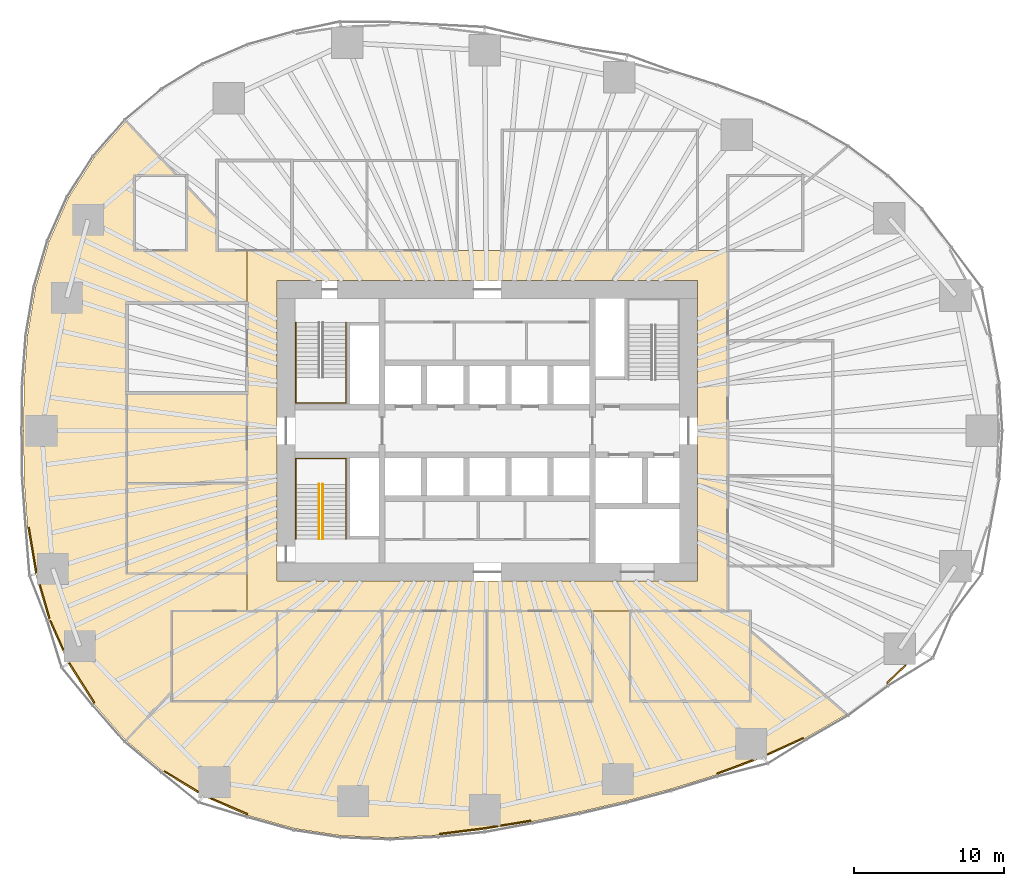
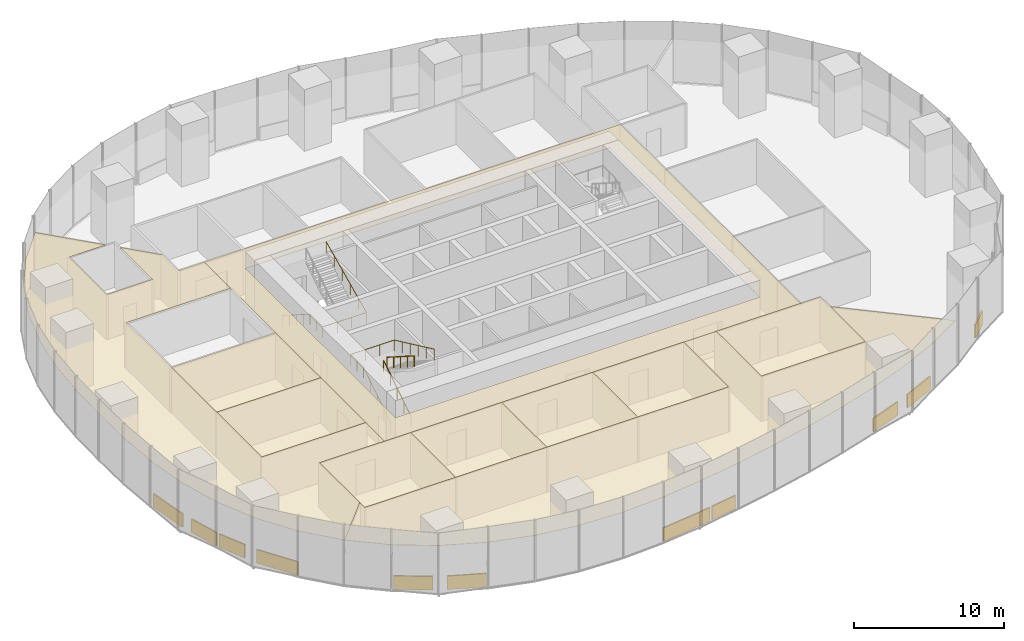
# One storey, part 17 of 20: 22 coverings, 4 railings.
"""IFC4 building model written with IfcOpenShell, lengths in metres."""

from ifc_helpers import new_model, si_unit, direction, frame, origin, origin_2d, place, context, subcontext, project, spatial, polyline, rectangle, circle, outline, extrude, material, layer, layer_set, type_object, element, save


model = new_model("IFC4")

# Units and contexts
model_context = context("Model", 3, precision=1e-05, world=origin(), true_north=direction((0.0, 1.0)))
body_context = subcontext(model_context, "Body", "Model", "MODEL_VIEW")
ifc_project = project(units=[si_unit("LENGTHUNIT", "METRE"), si_unit("AREAUNIT", "SQUARE_METRE"), si_unit("VOLUMEUNIT", "CUBIC_METRE"), si_unit("PLANEANGLEUNIT", "RADIAN"), si_unit("MASSUNIT", "GRAM", prefix="KILO")], contexts=[model_context])

# Site, building, storey
site_placement = place(None, origin())
site = spatial("IfcSite", under=ifc_project, at=site_placement, CompositionType="ELEMENT")
building_placement = place(site_placement, origin())
building = spatial("IfcBuilding", under=site, at=building_placement, Name="Ghaith Harvest Tower", CompositionType="ELEMENT")
storey_placement = place(building_placement, frame((0.0, 0.0, 40.0)))
storey = spatial("IfcBuildingStorey", under=building, at=storey_placement, Name="L08", CompositionType="ELEMENT", Elevation=40.0)

# Coverings
ifc_material_1 = material(Name="Mineral fibre ceiling tile", Category="gypsum")
ifc_layer_1 = layer(ifc_material_1, 0.02490234375)
ifc_layer_set_1 = layer_set([ifc_layer_1], Name="CEILING C2")
covering_type_1 = type_object("IfcCoveringType", Name="CEILING C2", PredefinedType="CEILING", material=ifc_layer_set_1)
covering_1_placement = place(storey_placement, frame((0.0, 0.0, 3.60009765625)))
element("IfcCovering", 1, at=covering_1_placement, inside=storey, type_object=covering_type_1, Name="Ceiling L08-01", PredefinedType="CEILING", context=body_context, shape_type="SweptSolid", body=[
    extrude(outline(polyline([(-21.0, -18.0), (-14.0, -18.0), (-14.0, -12.0), (-21.0, -12.0), (-21.0, -18.0)])), origin(), (0.0, 0.0, 1.0), 0.02490234375),
])
covering_2_placement = place(storey_placement, frame((0.0, 0.0, 3.60009765625)))
element("IfcCovering", 2, at=covering_2_placement, inside=storey, type_object=covering_type_1, Name="Ceiling L08-02", PredefinedType="CEILING", context=body_context, shape_type="SweptSolid", body=[
    extrude(outline(polyline([(-14.0, -18.0), (-7.0, -18.0), (-7.0, -12.0), (-14.0, -12.0), (-14.0, -18.0)])), origin(), (0.0, 0.0, 1.0), 0.02490234375),
])
covering_3_placement = place(storey_placement, frame((0.0, 0.0, 3.60009765625)))
element("IfcCovering", 3, at=covering_3_placement, inside=storey, type_object=covering_type_1, Name="Ceiling L08-03", PredefinedType="CEILING", context=body_context, shape_type="SweptSolid", body=[
    extrude(outline(polyline([(-7.0, -18.0), (0.0, -18.0), (0.0, -12.0), (-7.0, -12.0), (-7.0, -18.0)])), origin(), (0.0, 0.0, 1.0), 0.02490234375),
])
covering_4_placement = place(storey_placement, frame((0.0, 0.0, 3.60009765625)))
element("IfcCovering", 4, at=covering_4_placement, inside=storey, type_object=covering_type_1, Name="Ceiling L08-04", PredefinedType="CEILING", context=body_context, shape_type="SweptSolid", body=[
    extrude(outline(polyline([(0.0, -18.0), (7.0, -18.0), (7.0, -12.0), (0.0, -12.0), (0.0, -18.0)])), origin(), (0.0, 0.0, 1.0), 0.02490234375),
])
covering_5_placement = place(storey_placement, frame((0.0, 0.0, 3.60009765625)))
element("IfcCovering", 5, at=covering_5_placement, inside=storey, type_object=covering_type_1, Name="Ceiling L08-05", PredefinedType="CEILING", context=body_context, shape_type="SweptSolid", body=[
    extrude(outline(polyline([(9.5, -18.0), (17.5, -18.0), (17.5, -12.0), (9.5, -12.0), (9.5, -18.0)])), origin(), (0.0, 0.0, 1.0), 0.02490234375),
])
covering_6_placement = place(storey_placement, frame((0.0, 0.0, 3.60009765625)))
element("IfcCovering", 6, at=covering_6_placement, inside=storey, type_object=covering_type_1, Name="Ceiling L08-06", PredefinedType="CEILING", context=body_context, shape_type="SweptSolid", body=[
    extrude(outline(polyline([(-24.0, -9.5), (-16.0, -9.5), (-16.0, -3.5), (-24.0, -3.5), (-24.0, -9.5)])), origin(), (0.0, 0.0, 1.0), 0.02490234375),
])
covering_7_placement = place(storey_placement, frame((0.0, 0.0, 3.60009765625)))
element("IfcCovering", 7, at=covering_7_placement, inside=storey, type_object=covering_type_1, Name="Ceiling L08-07", PredefinedType="CEILING", context=body_context, shape_type="SweptSolid", body=[
    extrude(outline(polyline([(-24.0, -3.5), (-16.0, -3.5), (-16.0, 2.5), (-24.0, 2.5), (-24.0, -3.5)])), origin(), (0.0, 0.0, 1.0), 0.02490234375),
])
covering_8_placement = place(storey_placement, frame((0.0, 0.0, 3.60009765625)))
element("IfcCovering", 8, at=covering_8_placement, inside=storey, type_object=covering_type_1, Name="Ceiling L08-C1", PredefinedType="CEILING", context=body_context, shape_type="SweptSolid", body=[
    extrude(outline(polyline([(16.0, -12.0), (-16.0, -12.0), (-16.0, 12.0), (16.0, 12.0), (16.0, -12.0)]), holes=[polyline([(-14.0, 10.0), (-14.0, -10.0), (14.0, -10.0), (14.0, 10.0), (-14.0, 10.0)])]), origin(), (0.0, 0.0, 1.0), 0.02490234375),
])
covering_9_placement = place(storey_placement, frame((0.0, 0.0, 3.60009765625)))
element("IfcCovering", 9, at=covering_9_placement, inside=storey, type_object=covering_type_1, Name="Ceiling L08-S1", PredefinedType="CEILING", context=body_context, shape_type="SweptSolid", body=[
    extrude(outline(polyline([(-15.907958984375, -25.614501953125), (-18.8935546875, -24.32763671875), (-21.59912109375, -22.671142578125), (-24.04833984375, -20.618408203125), (-21.0, -17.354248046875), (-21.0, -18.0), (7.0, -18.0), (7.0, -12.0), (9.5, -12.0), (9.5, -18.0), (17.5, -18.0), (17.5, -13.301025390625), (23.92431640625, -18.873046875), (21.149169921875, -20.469482421875), (18.34521484375, -21.7548828125), (15.22119140625, -22.916259765625), (12.1796875, -23.857666015625), (9.21533203125, -24.65087890625), (6.10888671875, -25.378662109375), (2.99560546875, -26.004150390625), (-0.181396484375, -26.527099609375), (-3.24755859375, -26.91064453125), (-6.4375, -27.0849609375), (-9.733642578125, -26.949951171875), (-12.828125, -26.476806640625), (-15.907958984375, -25.614501953125)])), origin(), (0.0, 0.0, 1.0), 0.02490234375),
])
covering_10_placement = place(storey_placement, frame((0.0, 0.0, 3.60009765625)))
element("IfcCovering", 10, at=covering_10_placement, inside=storey, type_object=covering_type_1, Name="Ceiling L08-W1", PredefinedType="CEILING", context=body_context, shape_type="SweptSolid", body=[
    extrude(outline(polyline([(-26.16455078125, -18.20556640625), (-27.881591796875, -15.507080078125), (-29.182373046875, -12.587890625), (-30.073974609375, -9.531005859375), (-30.606689453125, -6.35107421875), (-30.837158203125, -3.165771484375), (-30.875, 0.0), (-30.837158203125, 3.165771484375), (-30.606689453125, 6.35107421875), (-30.073974609375, 9.531005859375), (-29.182373046875, 12.587890625), (-27.881591796875, 15.507080078125), (-26.16455078125, 18.20556640625), (-24.04833984375, 20.618408203125), (-20.669189453125, 17.0), (-23.5, 17.0), (-23.5, 12.0), (-20.0, 12.0), (-20.0, 16.283203125), (-18.0, 14.1416015625), (-18.0, 12.0), (-16.0, 12.0), (-16.0, 8.5), (-24.0, 8.5), (-24.0, -9.5), (-16.0, -9.5), (-16.0, -12.0), (-21.0, -12.0), (-21.0, -17.354248046875), (-24.04833984375, -20.618408203125), (-26.16455078125, -18.20556640625)])), origin(), (0.0, 0.0, 1.0), 0.02490234375),
])

# Railings
ifc_material_2 = material(Name="Steel, black powder-coated", Category="steel")
railing_type = type_object("IfcRailingType", Name="HANDRAIL HR1", PredefinedType="HANDRAIL", material=ifc_material_2)
railing_1_placement = place(storey_placement, frame((-12.75, 7.199951171875, 0.178466796875)))
element("IfcRailing", 11, at=railing_1_placement, inside=storey, type_object=railing_type, Name="Handrail HR1 stair ST1 L08 wall side", PredefinedType="HANDRAIL", context=body_context, shape_type="SweptSolid", body=[
    extrude(circle(Radius=0.02392578125, at=origin_2d()), frame((0.0, 0.0, 0.8759765625), z_axis=(0.0, -0.843111507901, 0.53773877045), x_axis=(1.0, 0.0, 0.0)), (0.0, 0.0, 1.0), 4.317138671875),
    extrude(circle(Radius=0.02392578125, at=origin_2d()), frame((0.0, -3.639892578125, 3.197265625), z_axis=(0.0, -1.0, 0.0), x_axis=(1.0, 0.0, 0.0)), (0.0, 0.0, 1.0), 1.7099609375),
    extrude(circle(Radius=0.02392578125, at=origin_2d()), frame((0.0, -5.349853515625, 3.197265625), z_axis=(1.0, 0.0, 0.0), x_axis=(0.0, 1.0, 0.0)), (0.0, 0.0, 1.0), 3.35009765625),
    extrude(circle(Radius=0.02392578125, at=origin_2d()), frame((3.35009765625, -5.349853515625, 3.197265625), z_axis=(0.0, 0.905962265858, 0.423358444868), x_axis=(-1.0, 0.0, 0.0)), (0.0, 0.0, 1.0), 5.9052734375),
    extrude(circle(Radius=0.02099609375, at=origin_2d()), origin(), (0.0, 0.0, 1.0), 0.851806640625),
    extrude(circle(Radius=0.02099609375, at=origin_2d()), frame((0.0, -0.909912109375, 0.580322265625)), (0.0, 0.0, 1.0), 0.851806640625),
    extrude(circle(Radius=0.02099609375, at=origin_2d()), frame((0.0, -1.81982421875, 1.16064453125)), (0.0, 0.0, 1.0), 0.851806640625),
    extrude(circle(Radius=0.02099609375, at=origin_2d()), frame((0.0, -2.72998046875, 1.7412109375)), (0.0, 0.0, 1.0), 0.851806640625),
    extrude(circle(Radius=0.02099609375, at=origin_2d()), frame((0.0, -3.639892578125, 2.321533203125)), (0.0, 0.0, 1.0), 0.851806640625),
    extrude(circle(Radius=0.02099609375, at=origin_2d()), frame((0.0, -4.494873046875, 2.321533203125)), (0.0, 0.0, 1.0), 0.851806640625),
    extrude(circle(Radius=0.02099609375, at=origin_2d()), frame((0.0, -5.349853515625, 2.321533203125)), (0.0, 0.0, 1.0), 0.851806640625),
    extrude(circle(Radius=0.02099609375, at=origin_2d()), frame((1.11669921875, -5.349853515625, 2.321533203125)), (0.0, 0.0, 1.0), 0.851806640625),
    extrude(circle(Radius=0.02099609375, at=origin_2d()), frame((2.2333984375, -5.349853515625, 2.321533203125)), (0.0, 0.0, 1.0), 0.851806640625),
    extrude(circle(Radius=0.02099609375, at=origin_2d()), frame((3.35009765625, -5.349853515625, 2.321533203125)), (0.0, 0.0, 1.0), 0.851806640625),
    extrude(circle(Radius=0.02099609375, at=origin_2d()), frame((3.35009765625, -4.27978515625, 2.821533203125)), (0.0, 0.0, 1.0), 0.851806640625),
    extrude(circle(Radius=0.02099609375, at=origin_2d()), frame((3.35009765625, -3.2099609375, 3.321533203125)), (0.0, 0.0, 1.0), 0.851806640625),
    extrude(circle(Radius=0.02099609375, at=origin_2d()), frame((3.35009765625, -2.139892578125, 3.821533203125)), (0.0, 0.0, 1.0), 0.851806640625),
    extrude(circle(Radius=0.02099609375, at=origin_2d()), frame((3.35009765625, -1.070068359375, 4.321533203125)), (0.0, 0.0, 1.0), 0.851806640625),
    extrude(circle(Radius=0.02099609375, at=origin_2d()), frame((3.35009765625, 0.0, 4.821533203125)), (0.0, 0.0, 1.0), 0.851806640625),
])
railing_2_placement = place(storey_placement, frame((-11.199951171875, -7.199951171875, 0.178466796875)))
element("IfcRailing", 12, at=railing_2_placement, inside=storey, type_object=railing_type, Name="Handrail HR1 stair ST3 L08 flight 1 inner", PredefinedType="HANDRAIL", context=body_context, shape_type="SweptSolid", body=[
    extrude(circle(Radius=0.02392578125, at=origin_2d()), frame((0.0, 0.0, 0.8759765625), z_axis=(0.0, 0.843111507901, 0.53773877045), x_axis=(-1.0, 0.0, 0.0)), (0.0, 0.0, 1.0), 4.317138671875),
    extrude(circle(Radius=0.02099609375, at=origin_2d()), origin(), (0.0, 0.0, 1.0), 0.851806640625),
    extrude(circle(Radius=0.02099609375, at=origin_2d()), frame((0.0, 0.909912109375, 0.580322265625)), (0.0, 0.0, 1.0), 0.851806640625),
    extrude(circle(Radius=0.02099609375, at=origin_2d()), frame((0.0, 1.81982421875, 1.16064453125)), (0.0, 0.0, 1.0), 0.851806640625),
    extrude(circle(Radius=0.02099609375, at=origin_2d()), frame((0.0, 2.72998046875, 1.7412109375)), (0.0, 0.0, 1.0), 0.851806640625),
    extrude(circle(Radius=0.02099609375, at=origin_2d()), frame((0.0, 3.639892578125, 2.321533203125)), (0.0, 0.0, 1.0), 0.851806640625),
])
railing_3_placement = place(storey_placement, frame((-10.949951171875, -3.56005859375, 2.678466796875)))
element("IfcRailing", 13, at=railing_3_placement, inside=storey, type_object=railing_type, Name="Handrail HR1 stair ST3 L08 flight 2 inner", PredefinedType="HANDRAIL", context=body_context, shape_type="SweptSolid", body=[
    extrude(circle(Radius=0.02392578125, at=origin_2d()), frame((0.0, 0.0, 0.8759765625), z_axis=(0.0, -0.843111507901, 0.53773877045), x_axis=(1.0, 0.0, 0.0)), (0.0, 0.0, 1.0), 4.317138671875),
    extrude(circle(Radius=0.02099609375, at=origin_2d()), origin(), (0.0, 0.0, 1.0), 0.851806640625),
    extrude(circle(Radius=0.02099609375, at=origin_2d()), frame((0.0, -0.909912109375, 0.580322265625)), (0.0, 0.0, 1.0), 0.851806640625),
    extrude(circle(Radius=0.02099609375, at=origin_2d()), frame((0.0, -1.81982421875, 1.16064453125)), (0.0, 0.0, 1.0), 0.851806640625),
    extrude(circle(Radius=0.02099609375, at=origin_2d()), frame((0.0, -2.72998046875, 1.7412109375)), (0.0, 0.0, 1.0), 0.851806640625),
    extrude(circle(Radius=0.02099609375, at=origin_2d()), frame((0.0, -3.639892578125, 2.321533203125)), (0.0, 0.0, 1.0), 0.851806640625),
])
railing_4_placement = place(storey_placement, frame((-12.75, -7.199951171875, 0.178466796875)))
element("IfcRailing", 14, at=railing_4_placement, inside=storey, type_object=railing_type, Name="Handrail HR1 stair ST3 L08 wall side", PredefinedType="HANDRAIL", context=body_context, shape_type="SweptSolid", body=[
    extrude(circle(Radius=0.02392578125, at=origin_2d()), frame((0.0, 0.0, 0.8759765625), z_axis=(0.0, 0.843111507901, 0.53773877045), x_axis=(-1.0, 0.0, 0.0)), (0.0, 0.0, 1.0), 4.317138671875),
    extrude(circle(Radius=0.02392578125, at=origin_2d()), frame((0.0, 3.639892578125, 3.197265625), z_axis=(0.0, 1.0, 0.0), x_axis=(-1.0, 0.0, 0.0)), (0.0, 0.0, 1.0), 1.7099609375),
    extrude(circle(Radius=0.02392578125, at=origin_2d()), frame((0.0, 5.349853515625, 3.197265625), z_axis=(1.0, 0.0, 0.0), x_axis=(0.0, 1.0, 0.0)), (0.0, 0.0, 1.0), 3.35009765625),
    extrude(circle(Radius=0.02392578125, at=origin_2d()), frame((3.35009765625, 5.349853515625, 3.197265625), z_axis=(0.0, -0.905962265858, 0.423358444868), x_axis=(1.0, 0.0, 0.0)), (0.0, 0.0, 1.0), 5.9052734375),
    extrude(circle(Radius=0.02099609375, at=origin_2d()), origin(), (0.0, 0.0, 1.0), 0.851806640625),
    extrude(circle(Radius=0.02099609375, at=origin_2d()), frame((0.0, 0.909912109375, 0.580322265625)), (0.0, 0.0, 1.0), 0.851806640625),
    extrude(circle(Radius=0.02099609375, at=origin_2d()), frame((0.0, 1.81982421875, 1.16064453125)), (0.0, 0.0, 1.0), 0.851806640625),
    extrude(circle(Radius=0.02099609375, at=origin_2d()), frame((0.0, 2.72998046875, 1.7412109375)), (0.0, 0.0, 1.0), 0.851806640625),
    extrude(circle(Radius=0.02099609375, at=origin_2d()), frame((0.0, 3.639892578125, 2.321533203125)), (0.0, 0.0, 1.0), 0.851806640625),
    extrude(circle(Radius=0.02099609375, at=origin_2d()), frame((0.0, 4.494873046875, 2.321533203125)), (0.0, 0.0, 1.0), 0.851806640625),
    extrude(circle(Radius=0.02099609375, at=origin_2d()), frame((0.0, 5.349853515625, 2.321533203125)), (0.0, 0.0, 1.0), 0.851806640625),
    extrude(circle(Radius=0.02099609375, at=origin_2d()), frame((1.11669921875, 5.349853515625, 2.321533203125)), (0.0, 0.0, 1.0), 0.851806640625),
    extrude(circle(Radius=0.02099609375, at=origin_2d()), frame((2.2333984375, 5.349853515625, 2.321533203125)), (0.0, 0.0, 1.0), 0.851806640625),
    extrude(circle(Radius=0.02099609375, at=origin_2d()), frame((3.35009765625, 5.349853515625, 2.321533203125)), (0.0, 0.0, 1.0), 0.851806640625),
    extrude(circle(Radius=0.02099609375, at=origin_2d()), frame((3.35009765625, 4.27978515625, 2.821533203125)), (0.0, 0.0, 1.0), 0.851806640625),
    extrude(circle(Radius=0.02099609375, at=origin_2d()), frame((3.35009765625, 3.2099609375, 3.321533203125)), (0.0, 0.0, 1.0), 0.851806640625),
    extrude(circle(Radius=0.02099609375, at=origin_2d()), frame((3.35009765625, 2.139892578125, 3.821533203125)), (0.0, 0.0, 1.0), 0.851806640625),
    extrude(circle(Radius=0.02099609375, at=origin_2d()), frame((3.35009765625, 1.070068359375, 4.321533203125)), (0.0, 0.0, 1.0), 0.851806640625),
    extrude(circle(Radius=0.02099609375, at=origin_2d()), frame((3.35009765625, 0.0, 4.821533203125)), (0.0, 0.0, 1.0), 0.851806640625),
])

# Coverings
ifc_material_3 = material(Name="Insulated aluminium spandrel panel on steel framing", Category="steel")
ifc_layer_2 = layer(ifc_material_3, 0.10009765625)
ifc_layer_set_2 = layer_set([ifc_layer_2], Name="SLAB EDGE UPSTAND 1100x100")
covering_type_2 = type_object("IfcCoveringType", Name="SLAB EDGE UPSTAND 1100x100", PredefinedType="CLADDING", material=ifc_layer_set_2)
covering_11_placement = place(storey_placement, frame((-30.2900390625, -7.9384765625, 0.0), z_axis=(0.0, 0.0, 1.0), x_axis=(0.165246181786, -0.986252350773, 0.0)))
element("IfcCovering", 15, at=covering_11_placement, inside=storey, type_object=covering_type_2, Name="Slab edge upstand 3 bay 11 L08", PredefinedType="CLADDING", context=body_context, shape_type="SweptSolid", body=[
    extrude(rectangle(XDim=3.03564453125, YDim=0.10009765625, at=origin_2d()), origin(), (0.0, 0.0, 1.0), 1.10009765625),
])
covering_12_placement = place(storey_placement, frame((-29.48828125, -11.35986328125, 0.0), z_axis=(0.0, 0.0, 1.0), x_axis=(0.280032411303, -0.95999054611, 0.0)))
element("IfcCovering", 16, at=covering_12_placement, inside=storey, type_object=covering_type_2, Name="Slab edge upstand 1 bay 12 L08", PredefinedType="CLADDING", context=body_context, shape_type="SweptSolid", body=[
    extrude(rectangle(XDim=2.3291015625, YDim=0.10009765625, at=origin_2d()), origin(), (0.0, 0.0, 1.0), 1.10009765625),
])
covering_13_placement = place(storey_placement, frame((-28.666748046875, -13.621826171875, 0.0), z_axis=(0.0, 0.0, 1.0), x_axis=(0.407003427802, -0.913426630747, 0.0)))
element("IfcCovering", 17, at=covering_13_placement, inside=storey, type_object=covering_type_2, Name="Slab edge upstand 2 bay 12 L08", PredefinedType="CLADDING", context=body_context, shape_type="SweptSolid", body=[
    extrude(rectangle(XDim=2.108642578125, YDim=0.10009765625, at=origin_2d()), origin(), (0.0, 0.0, 1.0), 1.10009765625),
])
covering_14_placement = place(storey_placement, frame((-27.0078125, -16.787353515625, 0.0), z_axis=(0.0, 0.0, 1.0), x_axis=(0.536807372204, -0.843704832952, 0.0)))
element("IfcCovering", 18, at=covering_14_placement, inside=storey, type_object=covering_type_2, Name="Slab edge upstand 3 bay 12 L08", PredefinedType="CLADDING", context=body_context, shape_type="SweptSolid", body=[
    extrude(rectangle(XDim=3.098388671875, YDim=0.10009765625, at=origin_2d()), origin(), (0.0, 0.0, 1.0), 1.10009765625),
])
covering_15_placement = place(storey_placement, frame((-20.36572265625, -23.367431640625, 0.0), z_axis=(0.0, 0.0, 1.0), x_axis=(0.852846651269, -0.522161459148, 0.0)))
element("IfcCovering", 19, at=covering_15_placement, inside=storey, type_object=covering_type_2, Name="Slab edge upstand 3 bay 13 L08", PredefinedType="CLADDING", context=body_context, shape_type="SweptSolid", body=[
    extrude(rectangle(XDim=2.630615234375, YDim=0.10009765625, at=origin_2d()), origin(), (0.0, 0.0, 1.0), 1.10009765625),
])
covering_16_placement = place(storey_placement, frame((-17.18994140625, -25.007568359375, 0.0), z_axis=(0.0, 0.0, 1.0), x_axis=(0.918306928324, -0.395869151856, 0.0)))
element("IfcCovering", 20, at=covering_16_placement, inside=storey, type_object=covering_type_2, Name="Slab edge upstand 1 bay 14 L08", PredefinedType="CLADDING", context=body_context, shape_type="SweptSolid", body=[
    extrude(rectangle(XDim=2.63525390625, YDim=0.10009765625, at=origin_2d()), origin(), (0.0, 0.0, 1.0), 1.10009765625),
])
covering_17_placement = place(storey_placement, frame((-1.671142578125, -26.6630859375, 0.0), z_axis=(0.0, 0.0, 1.0), x_axis=(0.992264868881, 0.124138752952, 0.0)))
element("IfcCovering", 21, at=covering_17_placement, inside=storey, type_object=covering_type_2, Name="Slab edge upstand 3 bay 15 L08", PredefinedType="CLADDING", context=body_context, shape_type="SweptSolid", body=[
    extrude(rectangle(XDim=2.98974609375, YDim=0.10009765625, at=origin_2d()), origin(), (0.0, 0.0, 1.0), 1.10009765625),
])
covering_18_placement = place(storey_placement, frame((0.2490234375, -26.405517578125, 0.0), z_axis=(0.0, 0.0, 1.0), x_axis=(0.98671624755, 0.162453214254, 0.0)))
element("IfcCovering", 22, at=covering_18_placement, inside=storey, type_object=covering_type_2, Name="Slab edge upstand 1 bay 16 L08", PredefinedType="CLADDING", context=body_context, shape_type="SweptSolid", body=[
    extrude(rectangle(XDim=0.88916015625, YDim=0.10009765625, at=origin_2d()), origin(), (0.0, 0.0, 1.0), 1.10009765625),
])
covering_19_placement = place(storey_placement, frame((1.891845703125, -26.135009765625, 0.0), z_axis=(0.0, 0.0, 1.0), x_axis=(0.98671624755, 0.162453214254, 0.0)))
element("IfcCovering", 23, at=covering_19_placement, inside=storey, type_object=covering_type_2, Name="Slab edge upstand 1 bay 16 L08", PredefinedType="CLADDING", context=body_context, shape_type="SweptSolid", body=[
    extrude(rectangle(XDim=2.0205078125, YDim=0.10009765625, at=origin_2d()), origin(), (0.0, 0.0, 1.0), 1.10009765625),
])
covering_20_placement = place(storey_placement, frame((16.495361328125, -22.38916015625, 0.0), z_axis=(0.0, 0.0, 1.0), x_axis=(0.937331853701, 0.348437937139, 0.0)))
element("IfcCovering", 24, at=covering_20_placement, inside=storey, type_object=covering_type_2, Name="Slab edge upstand 3 bay 17 L08", PredefinedType="CLADDING", context=body_context, shape_type="SweptSolid", body=[
    extrude(rectangle(XDim=2.555908203125, YDim=0.10009765625, at=origin_2d()), origin(), (0.0, 0.0, 1.0), 1.10009765625),
])
covering_21_placement = place(storey_placement, frame((19.84521484375, -21.01220703125, 0.0), z_axis=(0.0, 0.0, 1.0), x_axis=(0.909046054499, 0.416695657284, 0.0)))
element("IfcCovering", 25, at=covering_21_placement, inside=storey, type_object=covering_type_2, Name="Slab edge upstand 1 bay 18 L08", PredefinedType="CLADDING", context=body_context, shape_type="SweptSolid", body=[
    extrude(rectangle(XDim=2.623291015625, YDim=0.10009765625, at=origin_2d()), origin(), (0.0, 0.0, 1.0), 1.10009765625),
])
covering_22_placement = place(storey_placement, frame((27.227783203125, -16.205078125, 0.0), z_axis=(0.0, 0.0, 1.0), x_axis=(0.717386427289, 0.69667547247, 0.0)))
element("IfcCovering", 26, at=covering_22_placement, inside=storey, type_object=covering_type_2, Name="Slab edge upstand 1 bay 19 L08", PredefinedType="CLADDING", context=body_context, shape_type="SweptSolid", body=[
    extrude(rectangle(XDim=1.723388671875, YDim=0.10009765625, at=origin_2d()), origin(), (0.0, 0.0, 1.0), 1.10009765625),
])

save(model, "model.ifc")
